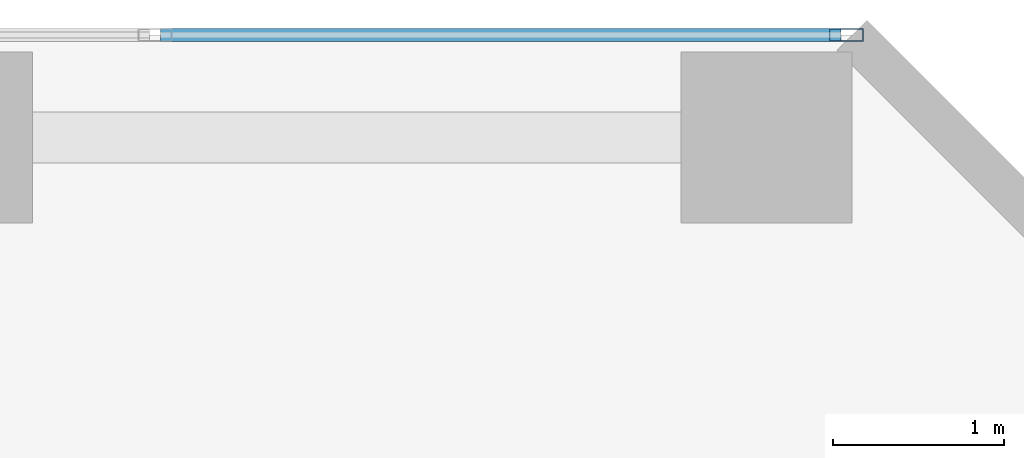
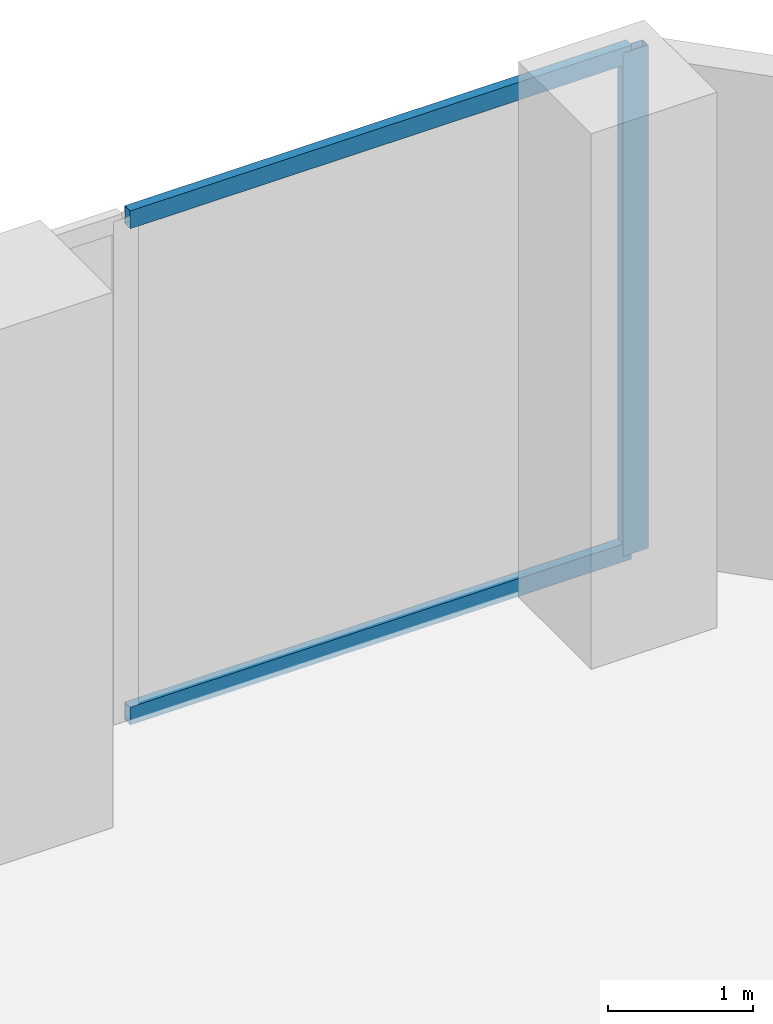
# One storey, part 20 of 24: 3 members, 1 element without a shape of its own.
"""IFC4 building model written with IfcOpenShell, lengths in metres."""

from ifc_helpers import new_model, si_unit, direction, frame, origin, origin_2d, place, context, subcontext, project, spatial, hollow_rectangle, extrude, material, layer, layer_set, material_profile, profile_set, type_object, element, aggregate, save


model = new_model("IFC4")

# Units and contexts
model_context = context("Model", 3, precision=1e-05, world=origin(), true_north=direction((0.0, 1.0)))
body_context = subcontext(model_context, "Body", "Model", "MODEL_VIEW")
ifc_project = project(units=[si_unit("LENGTHUNIT", "METRE"), si_unit("AREAUNIT", "SQUARE_METRE"), si_unit("VOLUMEUNIT", "CUBIC_METRE"), si_unit("PLANEANGLEUNIT", "RADIAN"), si_unit("MASSUNIT", "GRAM", prefix="KILO")], contexts=[model_context])

# Site, building, storey
site_placement = place(None, origin())
site = spatial("IfcSite", under=ifc_project, at=site_placement, CompositionType="ELEMENT")
building_placement = place(site_placement, origin())
building = spatial("IfcBuilding", under=site, at=building_placement, Name="Catumbela Crestline Tower", CompositionType="ELEMENT")
storey_placement = place(building_placement, frame((0.0, 0.0, 21.3)))
storey = spatial("IfcBuildingStorey", under=building, at=storey_placement, Name="L04", CompositionType="ELEMENT", Elevation=21.3)

# Curtain wall, members
ifc_material = material(Name="Aluminium alloy AW-6060-T66", Category="aluminium")
ifc_layer = layer(ifc_material, 0.18, Name="Aluminium alloy AW-6060-T66")
ifc_layer_set = layer_set([ifc_layer], Name="Aluminium alloy AW-6060-T66")
curtain_wall_type = type_object("IfcCurtainWallType", Name="CWS-POD", PredefinedType="USERDEFINED", material=ifc_layer_set)
curtain_wall_placement = place(storey_placement, origin())
curtain_wall = element("IfcCurtainWall", 1, at=curtain_wall_placement, inside=storey, type_object=curtain_wall_type, Name="L04 Stick Curtain Wall CW-L04-E7S1", ObjectType="STICK", PredefinedType="USERDEFINED")
ifc_material_profile_1 = material_profile(ifc_material, hollow_rectangle(XDim=0.075, YDim=0.2, WallThickness=0.005, at=origin_2d()), Name="ALU 200x75x5")
ifc_profile_set_1 = profile_set([ifc_material_profile_1], Name="Aluminium alloy AW-6060-T66")
member_type_1 = type_object("IfcMemberType", Name="MUL-200X75", PredefinedType="MULLION", material=ifc_profile_set_1)
member_1_placement = place(storey_placement, frame((52.4675, 48.0, 0.0), z_axis=(0.0, 0.0, 1.0), x_axis=(0.0, -1.0, 0.0)))
member_1 = element("IfcMember", 2, at=member_1_placement, type_object=member_type_1, Name="CWS-POD mullion 1", PredefinedType="MULLION", context=body_context, shape_type="SweptSolid", body=[
    extrude(hollow_rectangle(XDim=0.075, YDim=0.2, WallThickness=0.005, at=origin_2d()), origin(), (0.0, 0.0, 1.0), 4.23),
])
ifc_material_profile_2 = material_profile(ifc_material, hollow_rectangle(XDim=0.075, YDim=0.15, WallThickness=0.0045, at=origin_2d()), Name="ALU 150x75x4.5")
ifc_profile_set_2 = profile_set([ifc_material_profile_2], Name="Aluminium alloy AW-6060-T66")
member_type_2 = type_object("IfcMemberType", Name="TRN-150X75", PredefinedType="USERDEFINED", material=ifc_profile_set_2)
member_2_placement = place(storey_placement, frame((52.435, 48.0, 0.03), z_axis=(-1.0, 0.0, 0.0), x_axis=(0.0, -1.0, 0.0)))
member_2 = element("IfcMember", 3, at=member_2_placement, type_object=member_type_2, Name="CWS-POD transom 1.1", ObjectType="TRANSOM", PredefinedType="USERDEFINED", context=body_context, shape_type="SweptSolid", body=[
    extrude(hollow_rectangle(XDim=0.075, YDim=0.15, WallThickness=0.0045, at=origin_2d()), origin(), (0.0, 0.0, 1.0), 3.9858),
])
member_3_placement = place(storey_placement, frame((52.435, 48.0, 4.2), z_axis=(-1.0, 0.0, 0.0), x_axis=(0.0, -1.0, 0.0)))
member_3 = element("IfcMember", 4, at=member_3_placement, type_object=member_type_2, Name="CWS-POD transom 1.2", ObjectType="TRANSOM", PredefinedType="USERDEFINED", context=body_context, shape_type="SweptSolid", body=[
    extrude(hollow_rectangle(XDim=0.075, YDim=0.15, WallThickness=0.0045, at=origin_2d()), origin(), (0.0, 0.0, 1.0), 3.9858),
])
aggregate(curtain_wall, [member_1, member_2, member_3])

save(model, "model.ifc")
